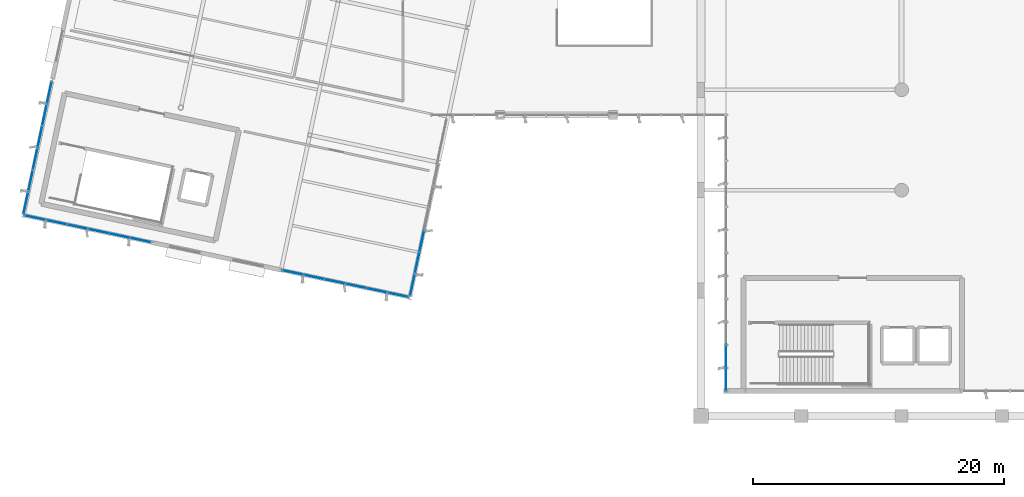
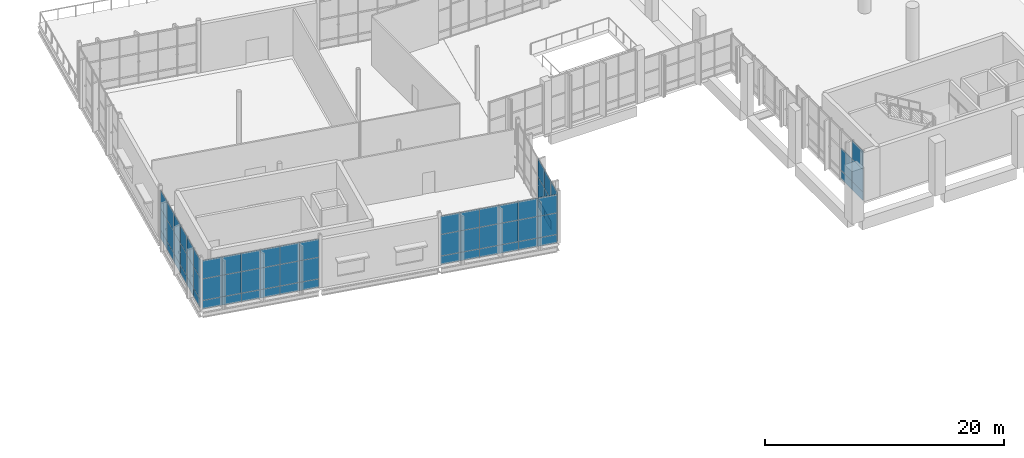
# One storey, part 119 of 176: 68 plates, 5 elements without a shape of their own.
"""IFC4 building model written with IfcOpenShell, lengths in metres."""

from ifc_helpers import new_model, si_unit, direction, frame, origin, origin_2d, place, context, subcontext, project, spatial, rectangle, extrude, material, layer, layer_set, type_object, element, aggregate, save


model = new_model("IFC4")

# Units and contexts
model_context = context("Model", 3, precision=1e-05, world=origin(), true_north=direction((0.0, 1.0)))
body_context = subcontext(model_context, "Body", "Model", "MODEL_VIEW")
ifc_project = project(units=[si_unit("LENGTHUNIT", "METRE"), si_unit("AREAUNIT", "SQUARE_METRE"), si_unit("VOLUMEUNIT", "CUBIC_METRE"), si_unit("PLANEANGLEUNIT", "RADIAN"), si_unit("MASSUNIT", "GRAM", prefix="KILO")], contexts=[model_context])

# Site, building, storey
site_placement = place(None, origin())
site = spatial("IfcSite", under=ifc_project, at=site_placement, CompositionType="ELEMENT")
building_placement = place(site_placement, origin())
building = spatial("IfcBuilding", under=site, at=building_placement, Name="Khorjan Park Terminus", CompositionType="ELEMENT")
storey_placement = place(building_placement, frame((0.0, 0.0, 6.0)))
storey = spatial("IfcBuildingStorey", under=building, at=storey_placement, Name="L01", CompositionType="ELEMENT", Elevation=6.0)

# Curtain wall, plates
ifc_material_1 = material(Name="Anodized Bronze Aluminium", Category="aluminium")
ifc_layer_1 = layer(ifc_material_1, 0.22)
ifc_layer_set_1 = layer_set([ifc_layer_1], Name="Anodized Bronze Aluminium")
curtain_wall_type_1 = type_object("IfcCurtainWallType", Name="CW-PAV-C", PredefinedType="NOTDEFINED", material=ifc_layer_set_1)
curtain_wall_1_placement = place(storey_placement, origin())
curtain_wall_1 = element("IfcCurtainWall", 1, at=curtain_wall_1_placement, inside=storey, type_object=curtain_wall_type_1, Name="Unitized curtain wall CW-C (CW-V4-S-L01-B03)", PredefinedType="NOTDEFINED")
ifc_material_2 = material(Name="Low-E Solar Control Double Glazing", Category="glass")
ifc_layer_2 = layer(ifc_material_2, 0.032)
ifc_layer_set_2 = layer_set([ifc_layer_2], Name="Low-E Solar Control Double Glazing")
plate_type_1 = type_object("IfcPlateType", Name="GL-VIS-32", PredefinedType="CURTAIN_PANEL", material=ifc_layer_set_2)
plate_1_placement = place(storey_placement, frame((15.4939, 37.4314, 0.85), z_axis=(0.0, 0.0, 1.0), x_axis=(0.978147146591, -0.207913827382, 0.0)))
plate_1 = element("IfcPlate", 2, at=plate_1_placement, type_object=plate_type_1, Name="Curtain-wall panel VP-32 (CW-V4-S-L01-B03-0-2)", PredefinedType="CURTAIN_PANEL", context=body_context, shape_type="SweptSolid", body=[
    extrude(rectangle(XDim=1.7084, YDim=0.032, at=origin_2d()), origin(), (0.0, 0.0, 1.0), 2.2066),
])
plate_2_placement = place(storey_placement, frame((15.4939, 37.4314, 3.0566), z_axis=(0.0, 0.0, 1.0), x_axis=(0.978147146591, -0.207913827382, 0.0)))
plate_2 = element("IfcPlate", 3, at=plate_2_placement, type_object=plate_type_1, Name="Curtain-wall panel VP-32 (CW-V4-S-L01-B03-0-3)", PredefinedType="CURTAIN_PANEL", context=body_context, shape_type="SweptSolid", body=[
    extrude(rectangle(XDim=1.7084, YDim=0.032, at=origin_2d()), origin(), (0.0, 0.0, 1.0), 1.8834),
])
plate_3_placement = place(storey_placement, frame((17.165, 37.0762, 0.85), z_axis=(0.0, 0.0, 1.0), x_axis=(0.978147146591, -0.207913827382, 0.0)))
plate_3 = element("IfcPlate", 4, at=plate_3_placement, type_object=plate_type_1, Name="Curtain-wall panel VP-32 (CW-V4-S-L01-B03-1-2)", PredefinedType="CURTAIN_PANEL", context=body_context, shape_type="SweptSolid", body=[
    extrude(rectangle(XDim=1.7084, YDim=0.032, at=origin_2d()), origin(), (0.0, 0.0, 1.0), 2.2066),
])
plate_4_placement = place(storey_placement, frame((17.165, 37.0762, 3.0566), z_axis=(0.0, 0.0, 1.0), x_axis=(0.978147146591, -0.207913827382, 0.0)))
plate_4 = element("IfcPlate", 5, at=plate_4_placement, type_object=plate_type_1, Name="Curtain-wall panel VP-32 (CW-V4-S-L01-B03-1-3)", PredefinedType="CURTAIN_PANEL", context=body_context, shape_type="SweptSolid", body=[
    extrude(rectangle(XDim=1.7084, YDim=0.032, at=origin_2d()), origin(), (0.0, 0.0, 1.0), 1.8834),
])
plate_5_placement = place(storey_placement, frame((18.8361, 36.721, 0.85), z_axis=(0.0, 0.0, 1.0), x_axis=(0.978147146591, -0.207913827382, 0.0)))
plate_5 = element("IfcPlate", 6, at=plate_5_placement, type_object=plate_type_1, Name="Curtain-wall panel VP-32 (CW-V4-S-L01-B03-2-2)", PredefinedType="CURTAIN_PANEL", context=body_context, shape_type="SweptSolid", body=[
    extrude(rectangle(XDim=1.7084, YDim=0.032, at=origin_2d()), origin(), (0.0, 0.0, 1.0), 2.2066),
])
plate_6_placement = place(storey_placement, frame((18.8361, 36.721, 3.0566), z_axis=(0.0, 0.0, 1.0), x_axis=(0.978147146591, -0.207913827382, 0.0)))
plate_6 = element("IfcPlate", 7, at=plate_6_placement, type_object=plate_type_1, Name="Curtain-wall panel VP-32 (CW-V4-S-L01-B03-2-3)", PredefinedType="CURTAIN_PANEL", context=body_context, shape_type="SweptSolid", body=[
    extrude(rectangle(XDim=1.7084, YDim=0.032, at=origin_2d()), origin(), (0.0, 0.0, 1.0), 1.8834),
])
plate_7_placement = place(storey_placement, frame((20.5072, 36.3658, 0.85), z_axis=(0.0, 0.0, 1.0), x_axis=(0.978147146591, -0.207913827382, 0.0)))
plate_7 = element("IfcPlate", 8, at=plate_7_placement, type_object=plate_type_1, Name="Curtain-wall panel VP-32 (CW-V4-S-L01-B03-3-2)", PredefinedType="CURTAIN_PANEL", context=body_context, shape_type="SweptSolid", body=[
    extrude(rectangle(XDim=1.7084, YDim=0.032, at=origin_2d()), origin(), (0.0, 0.0, 1.0), 2.2066),
])
plate_8_placement = place(storey_placement, frame((20.5072, 36.3658, 3.0566), z_axis=(0.0, 0.0, 1.0), x_axis=(0.978147146591, -0.207913827382, 0.0)))
plate_8 = element("IfcPlate", 9, at=plate_8_placement, type_object=plate_type_1, Name="Curtain-wall panel VP-32 (CW-V4-S-L01-B03-3-3)", PredefinedType="CURTAIN_PANEL", context=body_context, shape_type="SweptSolid", body=[
    extrude(rectangle(XDim=1.7084, YDim=0.032, at=origin_2d()), origin(), (0.0, 0.0, 1.0), 1.8834),
])
plate_9_placement = place(storey_placement, frame((22.1782, 36.0106, 0.85), z_axis=(0.0, 0.0, 1.0), x_axis=(0.978147146591, -0.207913827382, 0.0)))
plate_9 = element("IfcPlate", 10, at=plate_9_placement, type_object=plate_type_1, Name="Curtain-wall panel VP-32 (CW-V4-S-L01-B03-4-2)", PredefinedType="CURTAIN_PANEL", context=body_context, shape_type="SweptSolid", body=[
    extrude(rectangle(XDim=1.7084, YDim=0.032, at=origin_2d()), origin(), (0.0, 0.0, 1.0), 2.2066),
])
plate_10_placement = place(storey_placement, frame((22.1782, 36.0106, 3.0566), z_axis=(0.0, 0.0, 1.0), x_axis=(0.978147146591, -0.207913827382, 0.0)))
plate_10 = element("IfcPlate", 11, at=plate_10_placement, type_object=plate_type_1, Name="Curtain-wall panel VP-32 (CW-V4-S-L01-B03-4-3)", PredefinedType="CURTAIN_PANEL", context=body_context, shape_type="SweptSolid", body=[
    extrude(rectangle(XDim=1.7084, YDim=0.032, at=origin_2d()), origin(), (0.0, 0.0, 1.0), 1.8834),
])
plate_11_placement = place(storey_placement, frame((23.8492, 35.6554, 0.85), z_axis=(0.0, 0.0, 1.0), x_axis=(0.978147146591, -0.207913827382, 0.0)))
plate_11 = element("IfcPlate", 12, at=plate_11_placement, type_object=plate_type_1, Name="Curtain-wall panel VP-32 (CW-V4-S-L01-B03-5-2)", PredefinedType="CURTAIN_PANEL", context=body_context, shape_type="SweptSolid", body=[
    extrude(rectangle(XDim=1.7084, YDim=0.032, at=origin_2d()), origin(), (0.0, 0.0, 1.0), 2.2066),
])
plate_12_placement = place(storey_placement, frame((23.8492, 35.6554, 3.0566), z_axis=(0.0, 0.0, 1.0), x_axis=(0.978147146591, -0.207913827382, 0.0)))
plate_12 = element("IfcPlate", 13, at=plate_12_placement, type_object=plate_type_1, Name="Curtain-wall panel VP-32 (CW-V4-S-L01-B03-5-3)", PredefinedType="CURTAIN_PANEL", context=body_context, shape_type="SweptSolid", body=[
    extrude(rectangle(XDim=1.7084, YDim=0.032, at=origin_2d()), origin(), (0.0, 0.0, 1.0), 1.8834),
])

curtain_wall_2_placement = place(storey_placement, origin())
curtain_wall_2 = element("IfcCurtainWall", 14, at=curtain_wall_2_placement, inside=storey, type_object=curtain_wall_type_1, Name="Unitized curtain wall CW-C (CW-V4-W-L01-B03)", PredefinedType="NOTDEFINED")
plate_13_placement = place(storey_placement, frame((-3.926, 51.7574, 0.85), z_axis=(0.0, 0.0, 1.0), x_axis=(-0.207917551169, -0.978146355059, 0.0)))
plate_13 = element("IfcPlate", 15, at=plate_13_placement, type_object=plate_type_1, Name="Curtain-wall panel VP-32 (CW-V4-W-L01-B03-0-2)", PredefinedType="CURTAIN_PANEL", context=body_context, shape_type="SweptSolid", body=[
    extrude(rectangle(XDim=1.7901, YDim=0.032, at=origin_2d()), origin(), (0.0, 0.0, 1.0), 2.2066),
])
plate_14_placement = place(storey_placement, frame((-3.926, 51.7574, 3.0566), z_axis=(0.0, 0.0, 1.0), x_axis=(-0.207917551169, -0.978146355059, 0.0)))
plate_14 = element("IfcPlate", 16, at=plate_14_placement, type_object=plate_type_1, Name="Curtain-wall panel VP-32 (CW-V4-W-L01-B03-0-3)", PredefinedType="CURTAIN_PANEL", context=body_context, shape_type="SweptSolid", body=[
    extrude(rectangle(XDim=1.7901, YDim=0.032, at=origin_2d()), origin(), (0.0, 0.0, 1.0), 1.8834),
])
plate_15_placement = place(storey_placement, frame((-4.2982, 50.0064, 0.85), z_axis=(0.0, 0.0, 1.0), x_axis=(-0.207917551169, -0.978146355059, 0.0)))
plate_15 = element("IfcPlate", 17, at=plate_15_placement, type_object=plate_type_1, Name="Curtain-wall panel VP-32 (CW-V4-W-L01-B03-1-2)", PredefinedType="CURTAIN_PANEL", context=body_context, shape_type="SweptSolid", body=[
    extrude(rectangle(XDim=1.7901, YDim=0.032, at=origin_2d()), origin(), (0.0, 0.0, 1.0), 2.2066),
])
plate_16_placement = place(storey_placement, frame((-4.2982, 50.0064, 3.0566), z_axis=(0.0, 0.0, 1.0), x_axis=(-0.207917551169, -0.978146355059, 0.0)))
plate_16 = element("IfcPlate", 18, at=plate_16_placement, type_object=plate_type_1, Name="Curtain-wall panel VP-32 (CW-V4-W-L01-B03-1-3)", PredefinedType="CURTAIN_PANEL", context=body_context, shape_type="SweptSolid", body=[
    extrude(rectangle(XDim=1.7901, YDim=0.032, at=origin_2d()), origin(), (0.0, 0.0, 1.0), 1.8834),
])
plate_17_placement = place(storey_placement, frame((-4.6704, 48.2554, 0.85), z_axis=(0.0, 0.0, 1.0), x_axis=(-0.207917551169, -0.978146355059, 0.0)))
plate_17 = element("IfcPlate", 19, at=plate_17_placement, type_object=plate_type_1, Name="Curtain-wall panel VP-32 (CW-V4-W-L01-B03-2-2)", PredefinedType="CURTAIN_PANEL", context=body_context, shape_type="SweptSolid", body=[
    extrude(rectangle(XDim=1.7901, YDim=0.032, at=origin_2d()), origin(), (0.0, 0.0, 1.0), 2.2066),
])
plate_18_placement = place(storey_placement, frame((-4.6704, 48.2554, 3.0566), z_axis=(0.0, 0.0, 1.0), x_axis=(-0.207917551169, -0.978146355059, 0.0)))
plate_18 = element("IfcPlate", 20, at=plate_18_placement, type_object=plate_type_1, Name="Curtain-wall panel VP-32 (CW-V4-W-L01-B03-2-3)", PredefinedType="CURTAIN_PANEL", context=body_context, shape_type="SweptSolid", body=[
    extrude(rectangle(XDim=1.7901, YDim=0.032, at=origin_2d()), origin(), (0.0, 0.0, 1.0), 1.8834),
])
plate_19_placement = place(storey_placement, frame((-5.0425, 46.5046, 0.85), z_axis=(0.0, 0.0, 1.0), x_axis=(-0.207917551169, -0.978146355059, 0.0)))
plate_19 = element("IfcPlate", 21, at=plate_19_placement, type_object=plate_type_1, Name="Curtain-wall panel VP-32 (CW-V4-W-L01-B03-3-2)", PredefinedType="CURTAIN_PANEL", context=body_context, shape_type="SweptSolid", body=[
    extrude(rectangle(XDim=1.7901, YDim=0.032, at=origin_2d()), origin(), (0.0, 0.0, 1.0), 2.2066),
])
plate_20_placement = place(storey_placement, frame((-5.0425, 46.5046, 3.0566), z_axis=(0.0, 0.0, 1.0), x_axis=(-0.207917551169, -0.978146355059, 0.0)))
plate_20 = element("IfcPlate", 22, at=plate_20_placement, type_object=plate_type_1, Name="Curtain-wall panel VP-32 (CW-V4-W-L01-B03-3-3)", PredefinedType="CURTAIN_PANEL", context=body_context, shape_type="SweptSolid", body=[
    extrude(rectangle(XDim=1.7901, YDim=0.032, at=origin_2d()), origin(), (0.0, 0.0, 1.0), 1.8834),
])
plate_21_placement = place(storey_placement, frame((-5.4147, 44.7536, 0.85), z_axis=(0.0, 0.0, 1.0), x_axis=(-0.207917551169, -0.978146355059, 0.0)))
plate_21 = element("IfcPlate", 23, at=plate_21_placement, type_object=plate_type_1, Name="Curtain-wall panel VP-32 (CW-V4-W-L01-B03-4-2)", PredefinedType="CURTAIN_PANEL", context=body_context, shape_type="SweptSolid", body=[
    extrude(rectangle(XDim=1.7901, YDim=0.032, at=origin_2d()), origin(), (0.0, 0.0, 1.0), 2.2066),
])
plate_22_placement = place(storey_placement, frame((-5.4147, 44.7536, 3.0566), z_axis=(0.0, 0.0, 1.0), x_axis=(-0.207917551169, -0.978146355059, 0.0)))
plate_22 = element("IfcPlate", 24, at=plate_22_placement, type_object=plate_type_1, Name="Curtain-wall panel VP-32 (CW-V4-W-L01-B03-4-3)", PredefinedType="CURTAIN_PANEL", context=body_context, shape_type="SweptSolid", body=[
    extrude(rectangle(XDim=1.7901, YDim=0.032, at=origin_2d()), origin(), (0.0, 0.0, 1.0), 1.8834),
])
plate_23_placement = place(storey_placement, frame((-5.7869, 43.0027, 0.85), z_axis=(0.0, 0.0, 1.0), x_axis=(-0.207917551169, -0.978146355059, 0.0)))
plate_23 = element("IfcPlate", 25, at=plate_23_placement, type_object=plate_type_1, Name="Curtain-wall panel VP-32 (CW-V4-W-L01-B03-5-2)", PredefinedType="CURTAIN_PANEL", context=body_context, shape_type="SweptSolid", body=[
    extrude(rectangle(XDim=1.7901, YDim=0.032, at=origin_2d()), origin(), (0.0, 0.0, 1.0), 2.2066),
])
plate_24_placement = place(storey_placement, frame((-5.7869, 43.0027, 3.0566), z_axis=(0.0, 0.0, 1.0), x_axis=(-0.207917551169, -0.978146355059, 0.0)))
plate_24 = element("IfcPlate", 26, at=plate_24_placement, type_object=plate_type_1, Name="Curtain-wall panel VP-32 (CW-V4-W-L01-B03-5-3)", PredefinedType="CURTAIN_PANEL", context=body_context, shape_type="SweptSolid", body=[
    extrude(rectangle(XDim=1.7901, YDim=0.032, at=origin_2d()), origin(), (0.0, 0.0, 1.0), 1.8834),
])

curtain_wall_3_placement = place(storey_placement, origin())
curtain_wall_3 = element("IfcCurtainWall", 27, at=curtain_wall_3_placement, inside=storey, type_object=curtain_wall_type_1, Name="Unitized curtain wall CW-C (CW-V4-S-L01-B01)", PredefinedType="NOTDEFINED")
ifc_material_3 = material(Name="Acoustic Laminated Solar Glazing", Category="glass")
ifc_layer_3 = layer(ifc_material_3, 0.036)
ifc_layer_set_3 = layer_set([ifc_layer_3], Name="Acoustic Laminated Solar Glazing")
plate_type_2 = type_object("IfcPlateType", Name="GL-VIS-36", PredefinedType="CURTAIN_PANEL", material=ifc_layer_set_3)
plate_25_placement = place(storey_placement, frame((-5.0373, 41.7954, 0.85), z_axis=(0.0, 0.0, 1.0), x_axis=(0.978147146591, -0.207913827382, 0.0)))
plate_25 = element("IfcPlate", 28, at=plate_25_placement, type_object=plate_type_2, Name="Curtain-wall panel VP-36 (CW-V4-S-L01-B01-0-2)", PredefinedType="CURTAIN_PANEL", context=body_context, shape_type="SweptSolid", body=[
    extrude(rectangle(XDim=1.7084, YDim=0.036, at=origin_2d()), origin(), (0.0, 0.0, 1.0), 2.2066),
])
plate_26_placement = place(storey_placement, frame((-5.0373, 41.7954, 3.0566), z_axis=(0.0, 0.0, 1.0), x_axis=(0.978147146591, -0.207913827382, 0.0)))
plate_26 = element("IfcPlate", 29, at=plate_26_placement, type_object=plate_type_2, Name="Curtain-wall panel VP-36 (CW-V4-S-L01-B01-0-3)", PredefinedType="CURTAIN_PANEL", context=body_context, shape_type="SweptSolid", body=[
    extrude(rectangle(XDim=1.7084, YDim=0.036, at=origin_2d()), origin(), (0.0, 0.0, 1.0), 1.8834),
])
plate_27_placement = place(storey_placement, frame((-3.3662, 41.4402, 0.85), z_axis=(0.0, 0.0, 1.0), x_axis=(0.978147146591, -0.207913827382, 0.0)))
plate_27 = element("IfcPlate", 30, at=plate_27_placement, type_object=plate_type_2, Name="Curtain-wall panel VP-36 (CW-V4-S-L01-B01-1-2)", PredefinedType="CURTAIN_PANEL", context=body_context, shape_type="SweptSolid", body=[
    extrude(rectangle(XDim=1.7084, YDim=0.036, at=origin_2d()), origin(), (0.0, 0.0, 1.0), 2.2066),
])
plate_28_placement = place(storey_placement, frame((-3.3662, 41.4402, 3.0566), z_axis=(0.0, 0.0, 1.0), x_axis=(0.978147146591, -0.207913827382, 0.0)))
plate_28 = element("IfcPlate", 31, at=plate_28_placement, type_object=plate_type_2, Name="Curtain-wall panel VP-36 (CW-V4-S-L01-B01-1-3)", PredefinedType="CURTAIN_PANEL", context=body_context, shape_type="SweptSolid", body=[
    extrude(rectangle(XDim=1.7084, YDim=0.036, at=origin_2d()), origin(), (0.0, 0.0, 1.0), 1.8834),
])
plate_29_placement = place(storey_placement, frame((-1.6951, 41.085, 0.85), z_axis=(0.0, 0.0, 1.0), x_axis=(0.978147146591, -0.207913827382, 0.0)))
plate_29 = element("IfcPlate", 32, at=plate_29_placement, type_object=plate_type_2, Name="Curtain-wall panel VP-36 (CW-V4-S-L01-B01-2-2)", PredefinedType="CURTAIN_PANEL", context=body_context, shape_type="SweptSolid", body=[
    extrude(rectangle(XDim=1.7084, YDim=0.036, at=origin_2d()), origin(), (0.0, 0.0, 1.0), 2.2066),
])
plate_30_placement = place(storey_placement, frame((-1.6951, 41.085, 3.0566), z_axis=(0.0, 0.0, 1.0), x_axis=(0.978147146591, -0.207913827382, 0.0)))
plate_30 = element("IfcPlate", 33, at=plate_30_placement, type_object=plate_type_2, Name="Curtain-wall panel VP-36 (CW-V4-S-L01-B01-2-3)", PredefinedType="CURTAIN_PANEL", context=body_context, shape_type="SweptSolid", body=[
    extrude(rectangle(XDim=1.7084, YDim=0.036, at=origin_2d()), origin(), (0.0, 0.0, 1.0), 1.8834),
])
plate_31_placement = place(storey_placement, frame((-0.0241, 40.7298, 0.85), z_axis=(0.0, 0.0, 1.0), x_axis=(0.978147146591, -0.207913827382, 0.0)))
plate_31 = element("IfcPlate", 34, at=plate_31_placement, type_object=plate_type_2, Name="Curtain-wall panel VP-36 (CW-V4-S-L01-B01-3-2)", PredefinedType="CURTAIN_PANEL", context=body_context, shape_type="SweptSolid", body=[
    extrude(rectangle(XDim=1.7084, YDim=0.036, at=origin_2d()), origin(), (0.0, 0.0, 1.0), 2.2066),
])
plate_32_placement = place(storey_placement, frame((-0.0241, 40.7298, 3.0566), z_axis=(0.0, 0.0, 1.0), x_axis=(0.978147146591, -0.207913827382, 0.0)))
plate_32 = element("IfcPlate", 35, at=plate_32_placement, type_object=plate_type_2, Name="Curtain-wall panel VP-36 (CW-V4-S-L01-B01-3-3)", PredefinedType="CURTAIN_PANEL", context=body_context, shape_type="SweptSolid", body=[
    extrude(rectangle(XDim=1.7084, YDim=0.036, at=origin_2d()), origin(), (0.0, 0.0, 1.0), 1.8834),
])
plate_33_placement = place(storey_placement, frame((1.647, 40.3746, 0.85), z_axis=(0.0, 0.0, 1.0), x_axis=(0.978147146591, -0.207913827382, 0.0)))
plate_33 = element("IfcPlate", 36, at=plate_33_placement, type_object=plate_type_2, Name="Curtain-wall panel VP-36 (CW-V4-S-L01-B01-4-2)", PredefinedType="CURTAIN_PANEL", context=body_context, shape_type="SweptSolid", body=[
    extrude(rectangle(XDim=1.7084, YDim=0.036, at=origin_2d()), origin(), (0.0, 0.0, 1.0), 2.2066),
])
plate_34_placement = place(storey_placement, frame((1.647, 40.3746, 3.0566), z_axis=(0.0, 0.0, 1.0), x_axis=(0.978147146591, -0.207913827382, 0.0)))
plate_34 = element("IfcPlate", 37, at=plate_34_placement, type_object=plate_type_2, Name="Curtain-wall panel VP-36 (CW-V4-S-L01-B01-4-3)", PredefinedType="CURTAIN_PANEL", context=body_context, shape_type="SweptSolid", body=[
    extrude(rectangle(XDim=1.7084, YDim=0.036, at=origin_2d()), origin(), (0.0, 0.0, 1.0), 1.8834),
])
plate_35_placement = place(storey_placement, frame((3.318, 40.0194, 0.85), z_axis=(0.0, 0.0, 1.0), x_axis=(0.978147146591, -0.207913827382, 0.0)))
plate_35 = element("IfcPlate", 38, at=plate_35_placement, type_object=plate_type_2, Name="Curtain-wall panel VP-36 (CW-V4-S-L01-B01-5-2)", PredefinedType="CURTAIN_PANEL", context=body_context, shape_type="SweptSolid", body=[
    extrude(rectangle(XDim=1.7084, YDim=0.036, at=origin_2d()), origin(), (0.0, 0.0, 1.0), 2.2066),
])
plate_36_placement = place(storey_placement, frame((3.318, 40.0194, 3.0566), z_axis=(0.0, 0.0, 1.0), x_axis=(0.978147146591, -0.207913827382, 0.0)))
plate_36 = element("IfcPlate", 39, at=plate_36_placement, type_object=plate_type_2, Name="Curtain-wall panel VP-36 (CW-V4-S-L01-B01-5-3)", PredefinedType="CURTAIN_PANEL", context=body_context, shape_type="SweptSolid", body=[
    extrude(rectangle(XDim=1.7084, YDim=0.036, at=origin_2d()), origin(), (0.0, 0.0, 1.0), 1.8834),
])

curtain_wall_4_placement = place(storey_placement, origin())
curtain_wall_4 = element("IfcCurtainWall", 40, at=curtain_wall_4_placement, inside=storey, type_object=curtain_wall_type_1, Name="Unitized curtain wall CW-C (CW-V4-E-L01-B01)", PredefinedType="NOTDEFINED")
plate_37_placement = place(storey_placement, frame((25.0248, 36.4536, 0.85), z_axis=(0.0, 0.0, 1.0), x_axis=(0.207916776669, 0.978146519689, 0.0)))
plate_37 = element("IfcPlate", 41, at=plate_37_placement, type_object=plate_type_2, Name="Curtain-wall panel VP-36 (CW-V4-E-L01-B01-0-2)", PredefinedType="CURTAIN_PANEL", context=body_context, shape_type="SweptSolid", body=[
    extrude(rectangle(XDim=1.7899, YDim=0.036, at=origin_2d()), origin(), (0.0, 0.0, 1.0), 2.2066),
])
plate_38_placement = place(storey_placement, frame((25.0248, 36.4536, 3.0566), z_axis=(0.0, 0.0, 1.0), x_axis=(0.207916776669, 0.978146519689, 0.0)))
plate_38 = element("IfcPlate", 42, at=plate_38_placement, type_object=plate_type_2, Name="Curtain-wall panel VP-36 (CW-V4-E-L01-B01-0-3)", PredefinedType="CURTAIN_PANEL", context=body_context, shape_type="SweptSolid", body=[
    extrude(rectangle(XDim=1.7899, YDim=0.036, at=origin_2d()), origin(), (0.0, 0.0, 1.0), 1.8834),
])
plate_39_placement = place(storey_placement, frame((25.3969, 38.2044, 0.85), z_axis=(0.0, 0.0, 1.0), x_axis=(0.207916776669, 0.978146519689, 0.0)))
plate_39 = element("IfcPlate", 43, at=plate_39_placement, type_object=plate_type_2, Name="Curtain-wall panel VP-36 (CW-V4-E-L01-B01-1-2)", PredefinedType="CURTAIN_PANEL", context=body_context, shape_type="SweptSolid", body=[
    extrude(rectangle(XDim=1.7899, YDim=0.036, at=origin_2d()), origin(), (0.0, 0.0, 1.0), 2.2066),
])
plate_40_placement = place(storey_placement, frame((25.3969, 38.2044, 3.0566), z_axis=(0.0, 0.0, 1.0), x_axis=(0.207916776669, 0.978146519689, 0.0)))
plate_40 = element("IfcPlate", 44, at=plate_40_placement, type_object=plate_type_2, Name="Curtain-wall panel VP-36 (CW-V4-E-L01-B01-1-3)", PredefinedType="CURTAIN_PANEL", context=body_context, shape_type="SweptSolid", body=[
    extrude(rectangle(XDim=1.7899, YDim=0.036, at=origin_2d()), origin(), (0.0, 0.0, 1.0), 1.8834),
])
plate_41_placement = place(storey_placement, frame((25.7691, 39.9552, 0.85), z_axis=(0.0, 0.0, 1.0), x_axis=(0.207916776669, 0.978146519689, 0.0)))
plate_41 = element("IfcPlate", 45, at=plate_41_placement, type_object=plate_type_2, Name="Curtain-wall panel VP-36 (CW-V4-E-L01-B01-2-2)", PredefinedType="CURTAIN_PANEL", context=body_context, shape_type="SweptSolid", body=[
    extrude(rectangle(XDim=1.7899, YDim=0.036, at=origin_2d()), origin(), (0.0, 0.0, 1.0), 2.2066),
])
plate_42_placement = place(storey_placement, frame((25.7691, 39.9552, 3.0566), z_axis=(0.0, 0.0, 1.0), x_axis=(0.207916776669, 0.978146519689, 0.0)))
plate_42 = element("IfcPlate", 46, at=plate_42_placement, type_object=plate_type_2, Name="Curtain-wall panel VP-36 (CW-V4-E-L01-B01-2-3)", PredefinedType="CURTAIN_PANEL", context=body_context, shape_type="SweptSolid", body=[
    extrude(rectangle(XDim=1.7899, YDim=0.036, at=origin_2d()), origin(), (0.0, 0.0, 1.0), 1.8834),
])

ifc_layer_4 = layer(ifc_material_1, 0.22)
ifc_layer_set_4 = layer_set([ifc_layer_4], Name="Anodized Bronze Aluminium")
curtain_wall_type_2 = type_object("IfcCurtainWallType", Name="CW-CONC-A", PredefinedType="NOTDEFINED", material=ifc_layer_set_4)
curtain_wall_5_placement = place(storey_placement, origin())
curtain_wall_5 = element("IfcCurtainWall", 47, at=curtain_wall_5_placement, inside=storey, type_object=curtain_wall_type_2, Name="Unitized curtain wall CW-A (CW-V2-W-L01-01)", PredefinedType="NOTDEFINED")
ifc_material_4 = material(Name="Triple Low-E High-Selectivity Glazing", Category="glass")
ifc_layer_5 = layer(ifc_material_4, 0.04)
ifc_layer_set_5 = layer_set([ifc_layer_5], Name="Triple Low-E High-Selectivity Glazing")
plate_type_3 = type_object("IfcPlateType", Name="GL-VIS-40", PredefinedType="CURTAIN_PANEL", material=ifc_layer_set_5)
plate_43_placement = place(storey_placement, frame((50.0, 30.75, 0.8501), z_axis=(0.0, 0.0, 1.0), x_axis=(0.0, -1.0, 0.0)))
plate_43 = element("IfcPlate", 48, at=plate_43_placement, type_object=plate_type_3, Name="Curtain-wall panel VP-40 (CW-V2-W-L01-01-4-2)", PredefinedType="CURTAIN_PANEL", context=body_context, shape_type="SweptSolid", body=[
    extrude(rectangle(XDim=1.8333, YDim=0.04, at=origin_2d()), origin(), (0.0, 0.0, 1.0), 2.2655),
])
plate_44_placement = place(storey_placement, frame((50.0, 28.9167, 0.8501), z_axis=(0.0, 0.0, 1.0), x_axis=(0.0, -1.0, 0.0)))
plate_44 = element("IfcPlate", 49, at=plate_44_placement, type_object=plate_type_3, Name="Curtain-wall panel VP-40 (CW-V2-W-L01-01-5-2)", PredefinedType="CURTAIN_PANEL", context=body_context, shape_type="SweptSolid", body=[
    extrude(rectangle(XDim=1.8333, YDim=0.04, at=origin_2d()), origin(), (0.0, 0.0, 1.0), 2.2655),
])
plate_45_placement = place(storey_placement, frame((50.0, 28.9167, 3.1156), z_axis=(0.0, 0.0, 1.0), x_axis=(0.0, -1.0, 0.0)))
plate_45 = element("IfcPlate", 50, at=plate_45_placement, type_object=plate_type_3, Name="Curtain-wall panel VP-40 (CW-V2-W-L01-01-5-3)", PredefinedType="CURTAIN_PANEL", context=body_context, shape_type="SweptSolid", body=[
    extrude(rectangle(XDim=1.8333, YDim=0.04, at=origin_2d()), origin(), (0.0, 0.0, 1.0), 1.9195),
])
ifc_material_5 = material(Name="Insulated Anodized Bronze Spandrel Panel")
ifc_layer_6 = layer(ifc_material_5, 0.045)
ifc_layer_set_6 = layer_set([ifc_layer_6], Name="Insulated Anodized Bronze Spandrel Panel")
plate_type_4 = type_object("IfcPlateType", Name="SP-AL-45", PredefinedType="CURTAIN_PANEL", material=ifc_layer_set_6)
plate_46_placement = place(storey_placement, frame((50.0, 30.75, -0.01), z_axis=(0.0, 0.0, 1.0), x_axis=(0.0, -1.0, 0.0)))
plate_46 = element("IfcPlate", 51, at=plate_46_placement, type_object=plate_type_4, Name="Curtain-wall panel SP-A45 (CW-V2-W-L01-01-4-1)", PredefinedType="CURTAIN_PANEL", context=body_context, shape_type="SweptSolid", body=[
    extrude(rectangle(XDim=1.8333, YDim=0.045, at=origin_2d()), origin(), (0.0, 0.0, 1.0), 0.86),
])
plate_47_placement = place(storey_placement, frame((50.0, 28.9167, -0.01), z_axis=(0.0, 0.0, 1.0), x_axis=(0.0, -1.0, 0.0)))
plate_47 = element("IfcPlate", 52, at=plate_47_placement, type_object=plate_type_4, Name="Curtain-wall panel SP-A45 (CW-V2-W-L01-01-5-1)", PredefinedType="CURTAIN_PANEL", context=body_context, shape_type="SweptSolid", body=[
    extrude(rectangle(XDim=1.8333, YDim=0.045, at=origin_2d()), origin(), (0.0, 0.0, 1.0), 0.86),
])
aggregate(curtain_wall_5, [plate_46, plate_43, plate_47, plate_44, plate_45])

# Plate
plate_48_placement = place(storey_placement, frame((-5.0373, 41.7954, -0.01), z_axis=(0.0, 0.0, 1.0), x_axis=(0.978147146591, -0.207913827382, 0.0)))
plate_48 = element("IfcPlate", 53, at=plate_48_placement, type_object=plate_type_4, Name="Curtain-wall panel SP-A45 (CW-V4-S-L01-B01-0-1)", PredefinedType="CURTAIN_PANEL", context=body_context, shape_type="SweptSolid", body=[
    extrude(rectangle(XDim=1.7084, YDim=0.045, at=origin_2d()), origin(), (0.0, 0.0, 1.0), 0.86),
])

plate_49_placement = place(storey_placement, frame((-3.3662, 41.4402, -0.01), z_axis=(0.0, 0.0, 1.0), x_axis=(0.978147146591, -0.207913827382, 0.0)))
plate_49 = element("IfcPlate", 54, at=plate_49_placement, type_object=plate_type_4, Name="Curtain-wall panel SP-A45 (CW-V4-S-L01-B01-1-1)", PredefinedType="CURTAIN_PANEL", context=body_context, shape_type="SweptSolid", body=[
    extrude(rectangle(XDim=1.7084, YDim=0.045, at=origin_2d()), origin(), (0.0, 0.0, 1.0), 0.86),
])

plate_50_placement = place(storey_placement, frame((-1.6951, 41.085, -0.01), z_axis=(0.0, 0.0, 1.0), x_axis=(0.978147146591, -0.207913827382, 0.0)))
plate_50 = element("IfcPlate", 55, at=plate_50_placement, type_object=plate_type_4, Name="Curtain-wall panel SP-A45 (CW-V4-S-L01-B01-2-1)", PredefinedType="CURTAIN_PANEL", context=body_context, shape_type="SweptSolid", body=[
    extrude(rectangle(XDim=1.7084, YDim=0.045, at=origin_2d()), origin(), (0.0, 0.0, 1.0), 0.86),
])

plate_51_placement = place(storey_placement, frame((-0.0241, 40.7298, -0.01), z_axis=(0.0, 0.0, 1.0), x_axis=(0.978147146591, -0.207913827382, 0.0)))
plate_51 = element("IfcPlate", 56, at=plate_51_placement, type_object=plate_type_4, Name="Curtain-wall panel SP-A45 (CW-V4-S-L01-B01-3-1)", PredefinedType="CURTAIN_PANEL", context=body_context, shape_type="SweptSolid", body=[
    extrude(rectangle(XDim=1.7084, YDim=0.045, at=origin_2d()), origin(), (0.0, 0.0, 1.0), 0.86),
])

plate_52_placement = place(storey_placement, frame((1.647, 40.3746, -0.01), z_axis=(0.0, 0.0, 1.0), x_axis=(0.978147146591, -0.207913827382, 0.0)))
plate_52 = element("IfcPlate", 57, at=plate_52_placement, type_object=plate_type_4, Name="Curtain-wall panel SP-A45 (CW-V4-S-L01-B01-4-1)", PredefinedType="CURTAIN_PANEL", context=body_context, shape_type="SweptSolid", body=[
    extrude(rectangle(XDim=1.7084, YDim=0.045, at=origin_2d()), origin(), (0.0, 0.0, 1.0), 0.86),
])

plate_53_placement = place(storey_placement, frame((3.318, 40.0194, -0.01), z_axis=(0.0, 0.0, 1.0), x_axis=(0.978147146591, -0.207913827382, 0.0)))
plate_53 = element("IfcPlate", 58, at=plate_53_placement, type_object=plate_type_4, Name="Curtain-wall panel SP-A45 (CW-V4-S-L01-B01-5-1)", PredefinedType="CURTAIN_PANEL", context=body_context, shape_type="SweptSolid", body=[
    extrude(rectangle(XDim=1.7084, YDim=0.045, at=origin_2d()), origin(), (0.0, 0.0, 1.0), 0.86),
])

aggregate(curtain_wall_3, [plate_48, plate_25, plate_26, plate_49, plate_27, plate_28, plate_50, plate_29, plate_30, plate_51, plate_31, plate_32, plate_52, plate_33, plate_34, plate_53, plate_35, plate_36])

plate_54_placement = place(storey_placement, frame((15.4939, 37.4314, -0.01), z_axis=(0.0, 0.0, 1.0), x_axis=(0.978147146591, -0.207913827382, 0.0)))
plate_54 = element("IfcPlate", 59, at=plate_54_placement, type_object=plate_type_4, Name="Curtain-wall panel SP-A45 (CW-V4-S-L01-B03-0-1)", PredefinedType="CURTAIN_PANEL", context=body_context, shape_type="SweptSolid", body=[
    extrude(rectangle(XDim=1.7084, YDim=0.045, at=origin_2d()), origin(), (0.0, 0.0, 1.0), 0.86),
])

plate_55_placement = place(storey_placement, frame((17.165, 37.0762, -0.01), z_axis=(0.0, 0.0, 1.0), x_axis=(0.978147146591, -0.207913827382, 0.0)))
plate_55 = element("IfcPlate", 60, at=plate_55_placement, type_object=plate_type_4, Name="Curtain-wall panel SP-A45 (CW-V4-S-L01-B03-1-1)", PredefinedType="CURTAIN_PANEL", context=body_context, shape_type="SweptSolid", body=[
    extrude(rectangle(XDim=1.7084, YDim=0.045, at=origin_2d()), origin(), (0.0, 0.0, 1.0), 0.86),
])

plate_56_placement = place(storey_placement, frame((18.8361, 36.721, -0.01), z_axis=(0.0, 0.0, 1.0), x_axis=(0.978147146591, -0.207913827382, 0.0)))
plate_56 = element("IfcPlate", 61, at=plate_56_placement, type_object=plate_type_4, Name="Curtain-wall panel SP-A45 (CW-V4-S-L01-B03-2-1)", PredefinedType="CURTAIN_PANEL", context=body_context, shape_type="SweptSolid", body=[
    extrude(rectangle(XDim=1.7084, YDim=0.045, at=origin_2d()), origin(), (0.0, 0.0, 1.0), 0.86),
])

plate_57_placement = place(storey_placement, frame((20.5072, 36.3658, -0.01), z_axis=(0.0, 0.0, 1.0), x_axis=(0.978147146591, -0.207913827382, 0.0)))
plate_57 = element("IfcPlate", 62, at=plate_57_placement, type_object=plate_type_4, Name="Curtain-wall panel SP-A45 (CW-V4-S-L01-B03-3-1)", PredefinedType="CURTAIN_PANEL", context=body_context, shape_type="SweptSolid", body=[
    extrude(rectangle(XDim=1.7084, YDim=0.045, at=origin_2d()), origin(), (0.0, 0.0, 1.0), 0.86),
])

plate_58_placement = place(storey_placement, frame((22.1782, 36.0106, -0.01), z_axis=(0.0, 0.0, 1.0), x_axis=(0.978147146591, -0.207913827382, 0.0)))
plate_58 = element("IfcPlate", 63, at=plate_58_placement, type_object=plate_type_4, Name="Curtain-wall panel SP-A45 (CW-V4-S-L01-B03-4-1)", PredefinedType="CURTAIN_PANEL", context=body_context, shape_type="SweptSolid", body=[
    extrude(rectangle(XDim=1.7084, YDim=0.045, at=origin_2d()), origin(), (0.0, 0.0, 1.0), 0.86),
])

plate_59_placement = place(storey_placement, frame((23.8492, 35.6554, -0.01), z_axis=(0.0, 0.0, 1.0), x_axis=(0.978147146591, -0.207913827382, 0.0)))
plate_59 = element("IfcPlate", 64, at=plate_59_placement, type_object=plate_type_4, Name="Curtain-wall panel SP-A45 (CW-V4-S-L01-B03-5-1)", PredefinedType="CURTAIN_PANEL", context=body_context, shape_type="SweptSolid", body=[
    extrude(rectangle(XDim=1.7084, YDim=0.045, at=origin_2d()), origin(), (0.0, 0.0, 1.0), 0.86),
])

aggregate(curtain_wall_1, [plate_54, plate_1, plate_2, plate_55, plate_3, plate_4, plate_56, plate_5, plate_6, plate_57, plate_7, plate_8, plate_58, plate_9, plate_10, plate_59, plate_11, plate_12])

plate_60_placement = place(storey_placement, frame((25.0248, 36.4536, -0.01), z_axis=(0.0, 0.0, 1.0), x_axis=(0.207916776669, 0.978146519689, 0.0)))
plate_60 = element("IfcPlate", 65, at=plate_60_placement, type_object=plate_type_4, Name="Curtain-wall panel SP-A45 (CW-V4-E-L01-B01-0-1)", PredefinedType="CURTAIN_PANEL", context=body_context, shape_type="SweptSolid", body=[
    extrude(rectangle(XDim=1.7899, YDim=0.045, at=origin_2d()), origin(), (0.0, 0.0, 1.0), 0.86),
])

plate_61_placement = place(storey_placement, frame((25.3969, 38.2044, -0.01), z_axis=(0.0, 0.0, 1.0), x_axis=(0.207916776669, 0.978146519689, 0.0)))
plate_61 = element("IfcPlate", 66, at=plate_61_placement, type_object=plate_type_4, Name="Curtain-wall panel SP-A45 (CW-V4-E-L01-B01-1-1)", PredefinedType="CURTAIN_PANEL", context=body_context, shape_type="SweptSolid", body=[
    extrude(rectangle(XDim=1.7899, YDim=0.045, at=origin_2d()), origin(), (0.0, 0.0, 1.0), 0.86),
])

plate_62_placement = place(storey_placement, frame((25.7691, 39.9552, -0.01), z_axis=(0.0, 0.0, 1.0), x_axis=(0.207916776669, 0.978146519689, 0.0)))
plate_62 = element("IfcPlate", 67, at=plate_62_placement, type_object=plate_type_4, Name="Curtain-wall panel SP-A45 (CW-V4-E-L01-B01-2-1)", PredefinedType="CURTAIN_PANEL", context=body_context, shape_type="SweptSolid", body=[
    extrude(rectangle(XDim=1.7899, YDim=0.045, at=origin_2d()), origin(), (0.0, 0.0, 1.0), 0.86),
])

aggregate(curtain_wall_4, [plate_60, plate_37, plate_38, plate_61, plate_39, plate_40, plate_62, plate_41, plate_42])

plate_63_placement = place(storey_placement, frame((-3.926, 51.7574, -0.01), z_axis=(0.0, 0.0, 1.0), x_axis=(-0.207917551169, -0.978146355059, 0.0)))
plate_63 = element("IfcPlate", 68, at=plate_63_placement, type_object=plate_type_4, Name="Curtain-wall panel SP-A45 (CW-V4-W-L01-B03-0-1)", PredefinedType="CURTAIN_PANEL", context=body_context, shape_type="SweptSolid", body=[
    extrude(rectangle(XDim=1.7901, YDim=0.045, at=origin_2d()), origin(), (0.0, 0.0, 1.0), 0.86),
])

plate_64_placement = place(storey_placement, frame((-4.2982, 50.0064, -0.01), z_axis=(0.0, 0.0, 1.0), x_axis=(-0.207917551169, -0.978146355059, 0.0)))
plate_64 = element("IfcPlate", 69, at=plate_64_placement, type_object=plate_type_4, Name="Curtain-wall panel SP-A45 (CW-V4-W-L01-B03-1-1)", PredefinedType="CURTAIN_PANEL", context=body_context, shape_type="SweptSolid", body=[
    extrude(rectangle(XDim=1.7901, YDim=0.045, at=origin_2d()), origin(), (0.0, 0.0, 1.0), 0.86),
])

plate_65_placement = place(storey_placement, frame((-4.6704, 48.2554, -0.01), z_axis=(0.0, 0.0, 1.0), x_axis=(-0.207917551169, -0.978146355059, 0.0)))
plate_65 = element("IfcPlate", 70, at=plate_65_placement, type_object=plate_type_4, Name="Curtain-wall panel SP-A45 (CW-V4-W-L01-B03-2-1)", PredefinedType="CURTAIN_PANEL", context=body_context, shape_type="SweptSolid", body=[
    extrude(rectangle(XDim=1.7901, YDim=0.045, at=origin_2d()), origin(), (0.0, 0.0, 1.0), 0.86),
])

plate_66_placement = place(storey_placement, frame((-5.0425, 46.5046, -0.01), z_axis=(0.0, 0.0, 1.0), x_axis=(-0.207917551169, -0.978146355059, 0.0)))
plate_66 = element("IfcPlate", 71, at=plate_66_placement, type_object=plate_type_4, Name="Curtain-wall panel SP-A45 (CW-V4-W-L01-B03-3-1)", PredefinedType="CURTAIN_PANEL", context=body_context, shape_type="SweptSolid", body=[
    extrude(rectangle(XDim=1.7901, YDim=0.045, at=origin_2d()), origin(), (0.0, 0.0, 1.0), 0.86),
])

plate_67_placement = place(storey_placement, frame((-5.4147, 44.7536, -0.01), z_axis=(0.0, 0.0, 1.0), x_axis=(-0.207917551169, -0.978146355059, 0.0)))
plate_67 = element("IfcPlate", 72, at=plate_67_placement, type_object=plate_type_4, Name="Curtain-wall panel SP-A45 (CW-V4-W-L01-B03-4-1)", PredefinedType="CURTAIN_PANEL", context=body_context, shape_type="SweptSolid", body=[
    extrude(rectangle(XDim=1.7901, YDim=0.045, at=origin_2d()), origin(), (0.0, 0.0, 1.0), 0.86),
])

plate_68_placement = place(storey_placement, frame((-5.7869, 43.0027, -0.01), z_axis=(0.0, 0.0, 1.0), x_axis=(-0.207917551169, -0.978146355059, 0.0)))
plate_68 = element("IfcPlate", 73, at=plate_68_placement, type_object=plate_type_4, Name="Curtain-wall panel SP-A45 (CW-V4-W-L01-B03-5-1)", PredefinedType="CURTAIN_PANEL", context=body_context, shape_type="SweptSolid", body=[
    extrude(rectangle(XDim=1.7901, YDim=0.045, at=origin_2d()), origin(), (0.0, 0.0, 1.0), 0.86),
])

aggregate(curtain_wall_2, [plate_63, plate_13, plate_14, plate_64, plate_15, plate_16, plate_65, plate_17, plate_18, plate_66, plate_19, plate_20, plate_67, plate_21, plate_22, plate_68, plate_23, plate_24])

save(model, "model.ifc")
